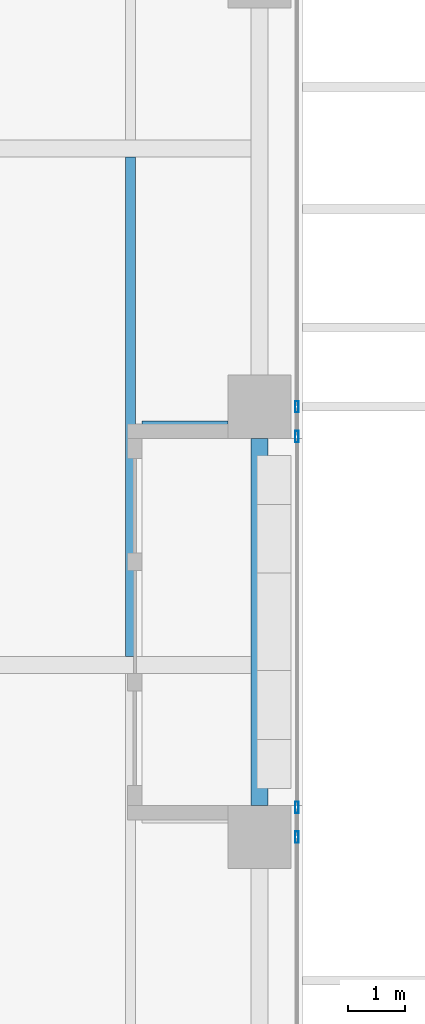
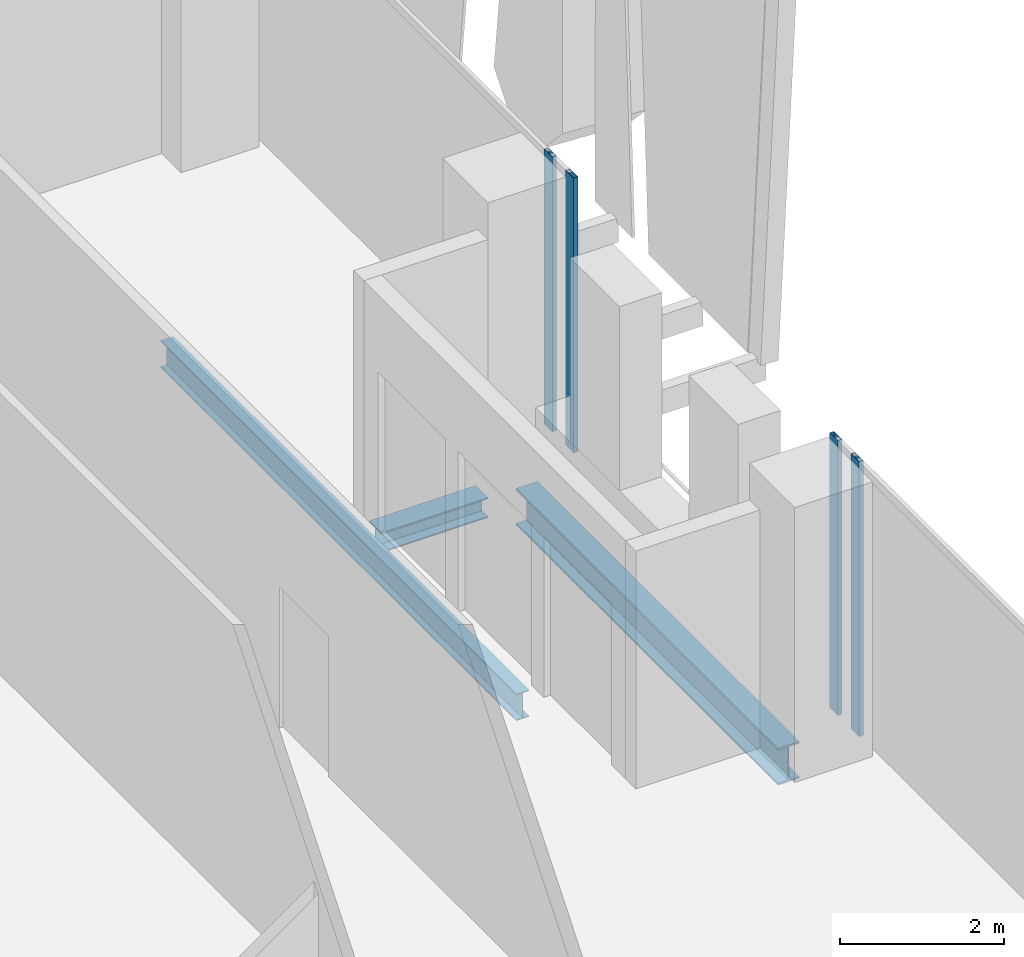
# One storey, part 13 of 36: 4 members, 3 beams, 2 elements without a shape of their own.
"""IFC4 building model written with IfcOpenShell, lengths in metres."""

from ifc_helpers import new_model, si_unit, direction, frame, origin, origin_2d, place, context, subcontext, project, spatial, hollow_rectangle, i_section, extrude, source, transform, mapped, material, material_profile, profile_set, type_object, element, aggregate, save


model = new_model("IFC4")

# Units and contexts
model_context = context("Model", 3, precision=1e-05, world=origin(), true_north=direction((0.0, 1.0)))
body_context = subcontext(model_context, "Body", "Model", "MODEL_VIEW")
ifc_project = project(units=[si_unit("LENGTHUNIT", "METRE"), si_unit("AREAUNIT", "SQUARE_METRE"), si_unit("VOLUMEUNIT", "CUBIC_METRE"), si_unit("PLANEANGLEUNIT", "RADIAN"), si_unit("MASSUNIT", "GRAM", prefix="KILO")], contexts=[model_context])

# Site, building, storey
site_placement = place(None, origin())
site = spatial("IfcSite", under=ifc_project, at=site_placement, CompositionType="ELEMENT")
building_placement = place(site_placement, origin())
building = spatial("IfcBuilding", under=site, at=building_placement, Name="Khomas Fold Tower", CompositionType="ELEMENT")
storey_placement = place(building_placement, frame((0.0, 0.0, 141.10009765625)))
storey = spatial("IfcBuildingStorey", under=building, at=storey_placement, Name="L30", CompositionType="ELEMENT", Elevation=141.10009765625)

# Beams
ifc_material_1 = material(Name="Steel S355", Category="steel")
ifc_material_profile_1 = material_profile(ifc_material_1, i_section(OverallWidth=0.179931640625, OverallDepth=0.39990234375, WebThickness=0.008544921875, FlangeThickness=0.013427734375, at=origin_2d()), Name="IPE 400")
ifc_profile_set_1 = profile_set([ifc_material_profile_1], Name="Steel S355")
beam_type_1 = type_object("IfcBeamType", Name="IPE 400 beam JB3", PredefinedType="BEAM", material=ifc_profile_set_1)
shared_shape_1 = source(origin(), body_context, "Body", "SweptSolid", [
    extrude(i_section(OverallWidth=0.179931640625, OverallDepth=0.39990234375, WebThickness=0.008544921875, FlangeThickness=0.013427734375, at=origin_2d()), origin(), (0.0, 0.0, 1.0), 8.7001953125),
])
beam_1_placement = place(storey_placement, frame((49.5, 22.64990234375, -0.5), z_axis=(0.0, 1.0, 0.0), x_axis=(-1.0, 0.0, 0.0)))
element("IfcBeam", 1, at=beam_1_placement, inside=storey, type_object=beam_type_1, Name="JB3", PredefinedType="BEAM", context=body_context, shape_type="MappedRepresentation", body=[
    mapped(shared_shape_1, transform((0.0, 0.0, 0.0))),
])
ifc_material_2 = material(Name="Steel S355", Category="steel")
ifc_material_profile_2 = material_profile(ifc_material_2, i_section(OverallWidth=0.300048828125, OverallDepth=0.550048828125, WebThickness=0.014892578125, FlangeThickness=0.029052734375, at=origin_2d()), Name="HE 550 B")
ifc_profile_set_2 = profile_set([ifc_material_profile_2], Name="Steel S355")
beam_type_2 = type_object("IfcBeamType", Name="HE 550 B spandrel SB2", PredefinedType="SPANDREL", material=ifc_profile_set_2)
shared_shape_2 = source(origin(), body_context, "Body", "SweptSolid", [
    extrude(i_section(OverallWidth=0.300048828125, OverallDepth=0.550048828125, WebThickness=0.014892578125, FlangeThickness=0.029052734375, at=origin_2d()), origin(), (0.0, 0.0, 1.0), 6.39990234375),
])
beam_2_placement = place(storey_placement, frame((51.75, 20.050048828125, -0.5751953125), z_axis=(0.0, 1.0, 0.0), x_axis=(-1.0, 0.0, 0.0)))
element("IfcBeam", 2, at=beam_2_placement, inside=storey, type_object=beam_type_2, Name="SB2", PredefinedType="SPANDREL", context=body_context, shape_type="MappedRepresentation", body=[
    mapped(shared_shape_2, transform((0.0, 0.0, 0.0))),
])
ifc_material_3 = material(Name="Steel S355", Category="steel")
ifc_material_profile_3 = material_profile(ifc_material_3, i_section(OverallWidth=0.300048828125, OverallDepth=0.300048828125, WebThickness=0.010986328125, FlangeThickness=0.01904296875, at=origin_2d()), Name="HE 300 B")
ifc_profile_set_3 = profile_set([ifc_material_profile_3], Name="Steel S355")
beam_type_3 = type_object("IfcBeamType", Name="HE 300 B beam BB1", PredefinedType="BEAM", material=ifc_profile_set_3)
shared_shape_3 = source(origin(), body_context, "Body", "SweptSolid", [
    extrude(i_section(OverallWidth=0.300048828125, OverallDepth=0.300048828125, WebThickness=0.010986328125, FlangeThickness=0.01904296875, at=origin_2d()), origin(), (0.0, 0.0, 1.0), 1.5),
])
beam_3_placement = place(storey_placement, frame((49.699951171875, 26.60009765625, -0.4501953125), z_axis=(1.0, 0.0, 0.0), x_axis=(0.0, 1.0, 0.0)))
element("IfcBeam", 3, at=beam_3_placement, inside=storey, type_object=beam_type_3, Name="BB1", PredefinedType="BEAM", context=body_context, shape_type="MappedRepresentation", body=[
    mapped(shared_shape_3, transform((0.0, 0.0, 0.0))),
])

# Curtain wall, members
ifc_material_4 = material(Name="Aluminium framed double glazing", Category="aluminium")
curtain_wall_type = type_object("IfcCurtainWallType", Name="SK-Unitised clear-glass wall, growing floors CW1", PredefinedType="NOTDEFINED", material=ifc_material_4)
curtain_wall_1_placement = place(storey_placement, origin())
curtain_wall_1 = element("IfcCurtainWall", 4, at=curtain_wall_1_placement, inside=storey, type_object=curtain_wall_type, Name="CW1 run L30 03-0", PredefinedType="NOTDEFINED")
ifc_material_5 = material(Name="Aluminium", Category="aluminium")
ifc_material_profile_4 = material_profile(ifc_material_5, hollow_rectangle(XDim=0.06005859375, YDim=0.199951171875, WallThickness=0.00390625, at=origin_2d()), Name="SK-Unitised clear-glass wall, growing floors mullion CW1-M")
ifc_profile_set_4 = profile_set([ifc_material_profile_4], Name="Aluminium")
member_type = type_object("IfcMemberType", Name="SK-Unitised clear-glass wall, growing floors mullion CW1-M", PredefinedType="MULLION", material=ifc_profile_set_4)
shared_shape_4 = source(origin(), body_context, "Body", "SweptSolid", [
    extrude(hollow_rectangle(XDim=0.06005859375, YDim=0.199951171875, WallThickness=0.00390625, at=origin_2d()), origin(), (0.0, 0.0, 1.0), 4.099853515625),
])
member_1_placement = place(storey_placement, frame((52.39990234375, 19.5, 0.0), z_axis=(0.0, 0.0, 1.0), x_axis=(-1.0, 0.0, 0.0)))
member_1 = element("IfcMember", 5, at=member_1_placement, type_object=member_type, Name="CW1 mullion 4", PredefinedType="MULLION", context=body_context, shape_type="MappedRepresentation", body=[
    mapped(shared_shape_4, transform((0.0, 0.0, 0.0))),
])
member_2_placement = place(storey_placement, frame((52.39990234375, 20.02001953125, 0.0), z_axis=(0.0, 0.0, 1.0), x_axis=(-1.0, 0.0, 0.0)))
member_2 = element("IfcMember", 6, at=member_2_placement, type_object=member_type, Name="CW1 mullion 5", PredefinedType="MULLION", context=body_context, shape_type="MappedRepresentation", body=[
    mapped(shared_shape_4, transform((0.0, 0.0, 0.0))),
])
aggregate(curtain_wall_1, [member_1, member_2])

curtain_wall_2_placement = place(storey_placement, origin())
curtain_wall_2 = element("IfcCurtainWall", 7, at=curtain_wall_2_placement, inside=storey, type_object=curtain_wall_type, Name="CW1 run L30 03-1", PredefinedType="NOTDEFINED")
member_3_placement = place(storey_placement, frame((52.39990234375, 26.47998046875, 0.0), z_axis=(0.0, 0.0, 1.0), x_axis=(-1.0, 0.0, 0.0)))
member_3 = element("IfcMember", 8, at=member_3_placement, type_object=member_type, Name="CW1 mullion 1", PredefinedType="MULLION", context=body_context, shape_type="MappedRepresentation", body=[
    mapped(shared_shape_4, transform((0.0, 0.0, 0.0))),
])
member_4_placement = place(storey_placement, frame((52.39990234375, 27.0, 0.0), z_axis=(0.0, 0.0, 1.0), x_axis=(-1.0, 0.0, 0.0)))
member_4 = element("IfcMember", 9, at=member_4_placement, type_object=member_type, Name="CW1 mullion 2", PredefinedType="MULLION", context=body_context, shape_type="MappedRepresentation", body=[
    mapped(shared_shape_4, transform((0.0, 0.0, 0.0))),
])
aggregate(curtain_wall_2, [member_3, member_4])

save(model, "model.ifc")
